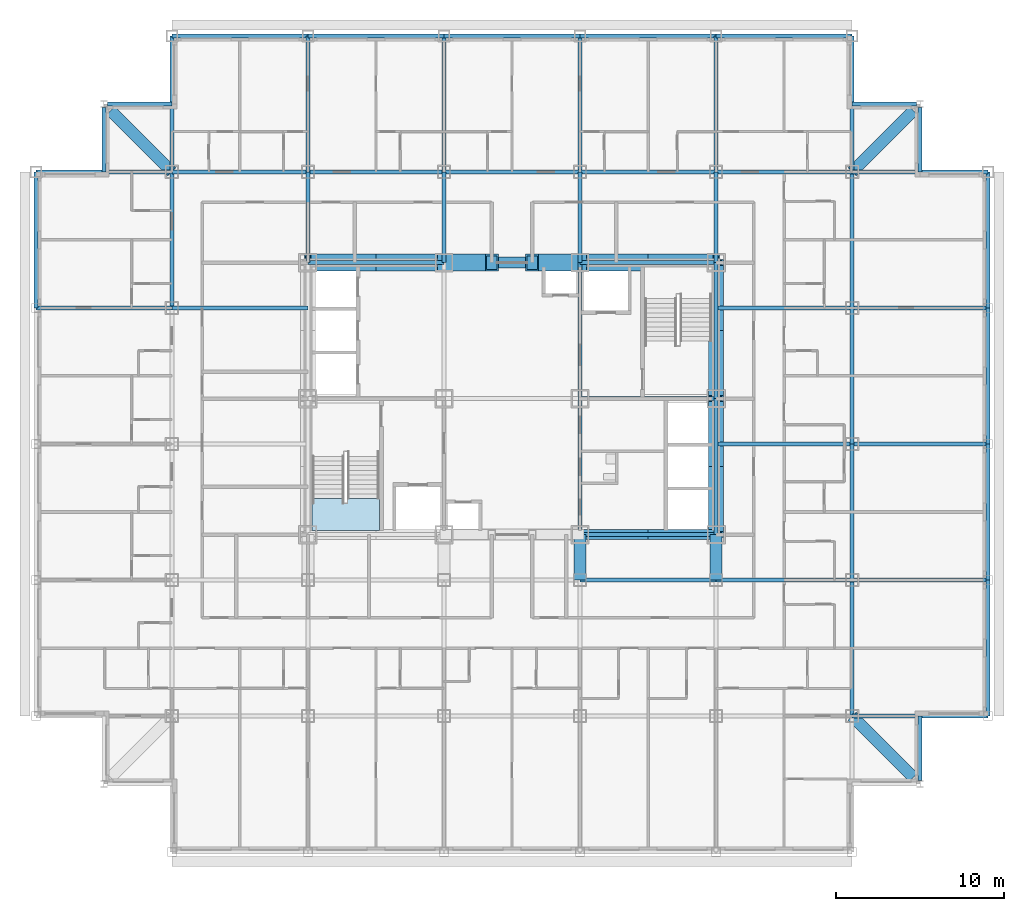
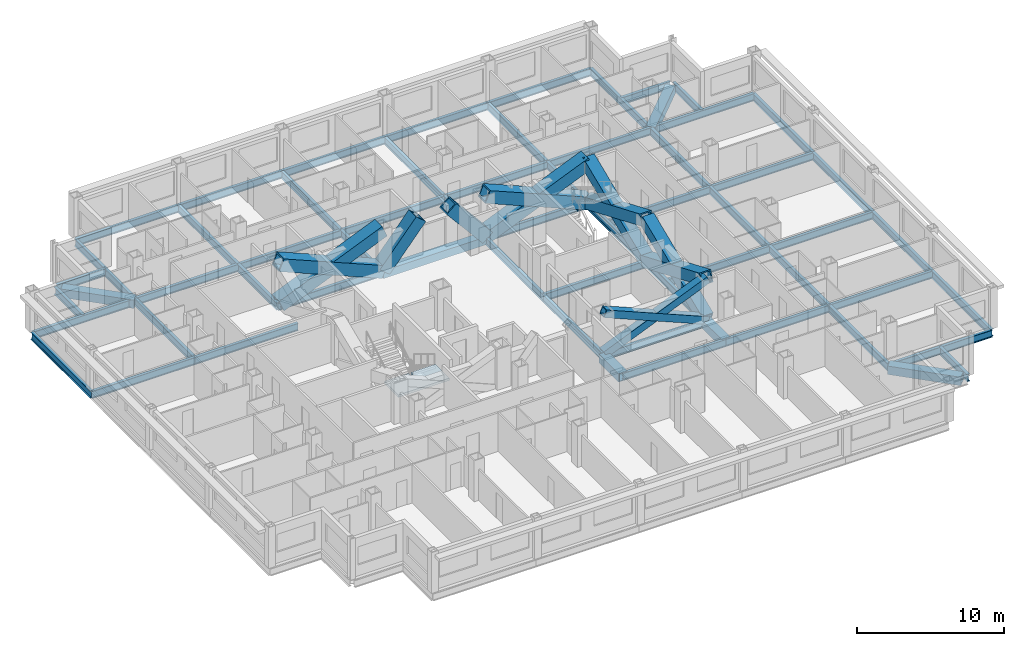
# One storey, part 2 of 14: 61 beams, 12 members, 1 slab, 1 element without a shape of its own.
"""IFC4 building model written with IfcOpenShell, lengths in metres."""

from ifc_helpers import new_model, si_unit, direction, frame, origin, origin_2d, place, context, subcontext, project, spatial, polyline, hollow_rectangle, i_section, outline, extrude, material, layer, layer_set, material_profile, profile_set, type_object, element, aggregate, save


model = new_model("IFC4")

# Units and contexts
model_context = context("Model", 3, precision=1e-05, world=origin(), true_north=direction((0.0, 1.0)))
body_context = subcontext(model_context, "Body", "Model", "MODEL_VIEW")
ifc_project = project(units=[si_unit("LENGTHUNIT", "METRE"), si_unit("AREAUNIT", "SQUARE_METRE"), si_unit("VOLUMEUNIT", "CUBIC_METRE"), si_unit("PLANEANGLEUNIT", "RADIAN"), si_unit("MASSUNIT", "GRAM", prefix="KILO")], contexts=[model_context])

# Site, building, storey
site_placement = place(None, origin())
site = spatial("IfcSite", under=ifc_project, at=site_placement, CompositionType="ELEMENT")
building_placement = place(site_placement, origin())
building = spatial("IfcBuilding", under=site, at=building_placement, Name="Kopane Lantern Tower", CompositionType="ELEMENT")
storey_placement = place(building_placement, frame((0.0, 0.0, 137.39990234375)))
storey = spatial("IfcBuildingStorey", under=building, at=storey_placement, Name="L35", CompositionType="ELEMENT", Elevation=137.39990234375)

# Members
ifc_material_1 = material(Name="Steel S355JR", Category="steel")
ifc_material_profile_1 = material_profile(ifc_material_1, hollow_rectangle(XDim=1.0, YDim=1.0, WallThickness=0.10009765625, at=origin_2d()), Name="BOX 1000x1000x100")
ifc_profile_set_1 = profile_set([ifc_material_profile_1], Name="Steel S355JR")
member_type_1 = type_object("IfcMemberType", Name="BRACE BOX 1000x1000x100", PredefinedType="BRACE", material=ifc_profile_set_1)
for number, where, z_axis, x_axis, name in (
    (1, (16.199951171875, 40.5, -0.2099609375), (0.92205908274, 0.0, 0.387049154419), (0.0, 1.0, 0.0), "Core brace L35"),
    (2, (24.300048828125, 40.5, -0.2099609375), (-0.92205908274, 0.0, 0.387049154419), (0.0, -1.0, 0.0), "Core brace L35"),
):
    element("IfcMember", number, at=place(storey_placement, frame(where, z_axis=z_axis, x_axis=x_axis)), inside=storey, type_object=member_type_1, Name=name, PredefinedType="BRACE", context=body_context, shape_type="SweptSolid", body=[
        extrude(hollow_rectangle(XDim=1.0, YDim=1.0, WallThickness=0.10009765625, at=origin_2d()), origin(), (0.0, 0.0, 1.0), 8.784912109375),
    ])
for number, where, z_axis, x_axis, name in (
    (3, (24.300048828125, 40.5, -0.2099609375), (0.642363165114, 0.0, 0.766400394118), (0.0, 1.0, 0.0), "Core brace L35"),
    (4, (32.39990234375, 40.5, -0.2099609375), (-0.642363165114, 0.0, 0.766400394118), (0.0, -1.0, 0.0), "Core brace L35"),
):
    element("IfcMember", number, at=place(storey_placement, frame(where, z_axis=z_axis, x_axis=x_axis)), inside=storey, type_object=member_type_1, Name=name, PredefinedType="BRACE", context=body_context, shape_type="SweptSolid", body=[
        extrude(hollow_rectangle(XDim=1.0, YDim=1.0, WallThickness=0.10009765625, at=origin_2d()), origin(), (0.0, 0.0, 1.0), 4.4365234375),
    ])
for number, where, z_axis, x_axis, name in (
    (5, (32.39990234375, 40.5, -0.2099609375), (0.92205908274, 0.0, 0.387049154419), (0.0, 1.0, 0.0), "Core brace L35"),
    (6, (40.5, 40.5, -0.2099609375), (-0.92205908274, 0.0, 0.387049154419), (0.0, -1.0, 0.0), "Core brace L35"),
):
    element("IfcMember", number, at=place(storey_placement, frame(where, z_axis=z_axis, x_axis=x_axis)), inside=storey, type_object=member_type_1, Name=name, PredefinedType="BRACE", context=body_context, shape_type="SweptSolid", body=[
        extrude(hollow_rectangle(XDim=1.0, YDim=1.0, WallThickness=0.10009765625, at=origin_2d()), origin(), (0.0, 0.0, 1.0), 8.784912109375),
    ])
ifc_material_2 = material(Name="Steel S355JR", Category="steel")
ifc_material_profile_2 = material_profile(ifc_material_2, hollow_rectangle(XDim=0.60009765625, YDim=0.60009765625, WallThickness=0.050048828125, at=origin_2d()), Name="BOX 600x600x50")
ifc_profile_set_2 = profile_set([ifc_material_profile_2], Name="Steel S355JR")
member_type_2 = type_object("IfcMemberType", Name="BRACE BOX 600x600x50", PredefinedType="BRACE", material=ifc_profile_set_2)
for number, where, z_axis, x_axis, name in (
    (7, (32.39990234375, 24.300048828125, -0.2099609375), (0.92205908274, 0.0, 0.387049154419), (0.0, 1.0, 0.0), "Core brace L35"),
    (8, (40.5, 24.300048828125, -0.2099609375), (-0.92205908274, 0.0, 0.387049154419), (0.0, -1.0, 0.0), "Core brace L35"),
):
    element("IfcMember", number, at=place(storey_placement, frame(where, z_axis=z_axis, x_axis=x_axis)), inside=storey, type_object=member_type_2, Name=name, PredefinedType="BRACE", context=body_context, shape_type="SweptSolid", body=[
        extrude(hollow_rectangle(XDim=0.60009765625, YDim=0.60009765625, WallThickness=0.050048828125, at=origin_2d()), origin(), (0.0, 0.0, 1.0), 8.784912109375),
    ])
ifc_material_3 = material(Name="Steel S355JR", Category="steel")
ifc_material_profile_3 = material_profile(ifc_material_3, hollow_rectangle(XDim=0.89990234375, YDim=0.89990234375, WallThickness=0.090087890625, at=origin_2d()), Name="BOX 900x900x90")
ifc_profile_set_3 = profile_set([ifc_material_profile_3], Name="Steel S355JR")
member_type_3 = type_object("IfcMemberType", Name="BRACE BOX 900x900x90", PredefinedType="BRACE", material=ifc_profile_set_3)
for number, where, z_axis, x_axis, name in (
    (9, (40.5, 24.300048828125, -0.2099609375), (0.0, 0.92205491925, 0.387059072864), (-1.0, 0.0, 0.0), "Core brace L35"),
    (10, (40.5, 32.39990234375, -0.2099609375), (0.0, -0.92205491925, 0.387059072864), (1.0, 0.0, 0.0), "Core brace L35"),
):
    element("IfcMember", number, at=place(storey_placement, frame(where, z_axis=z_axis, x_axis=x_axis)), inside=storey, type_object=member_type_3, Name=name, PredefinedType="BRACE", context=body_context, shape_type="SweptSolid", body=[
        extrude(hollow_rectangle(XDim=0.89990234375, YDim=0.89990234375, WallThickness=0.090087890625, at=origin_2d()), origin(), (0.0, 0.0, 1.0), 8.78466796875),
    ])
for number, where, z_axis, x_axis, name in (
    (11, (40.5, 32.39990234375, -0.2099609375), (0.0, 0.92205908274, 0.387049154419), (-1.0, 0.0, 0.0), "Core brace L35"),
    (12, (40.5, 40.5, -0.2099609375), (0.0, -0.92205908274, 0.387049154419), (1.0, 0.0, 0.0), "Core brace L35"),
):
    element("IfcMember", number, at=place(storey_placement, frame(where, z_axis=z_axis, x_axis=x_axis)), inside=storey, type_object=member_type_3, Name=name, PredefinedType="BRACE", context=body_context, shape_type="SweptSolid", body=[
        extrude(hollow_rectangle(XDim=0.89990234375, YDim=0.89990234375, WallThickness=0.090087890625, at=origin_2d()), origin(), (0.0, 0.0, 1.0), 8.784912109375),
    ])

# Beams
ifc_material_4 = material(Name="Steel S355JR", Category="steel")
ifc_material_profile_4 = material_profile(ifc_material_4, i_section(OverallWidth=0.22900390625, OverallDepth=0.6123046875, WebThickness=0.011962890625, FlangeThickness=0.01953125, FilletRadius=0.0126953125, at=origin_2d()), Name="UB 610x229x125")
ifc_profile_set_4 = profile_set([ifc_material_profile_4], Name="Steel S355JR")
beam_type_1 = type_object("IfcBeamType", Name="CORE BEAM UB 610x229x125", PredefinedType="BEAM", material=ifc_profile_set_4)
beam_1_placement = place(storey_placement, frame((32.39990234375, 24.300048828125, -0.51611328125), z_axis=(0.0, 1.0, 0.0), x_axis=(-1.0, 0.0, 0.0)))
element("IfcBeam", 13, at=beam_1_placement, inside=storey, type_object=beam_type_1, Name="Core Beam L35", PredefinedType="BEAM", context=body_context, shape_type="SweptSolid", body=[
    extrude(i_section(OverallWidth=0.22900390625, OverallDepth=0.6123046875, WebThickness=0.011962890625, FlangeThickness=0.01953125, FilletRadius=0.0126953125, at=origin_2d()), origin(), (0.0, 0.0, 1.0), 8.099853515625),
])
for number, where, z_axis, x_axis, name in (
    (14, (32.39990234375, 32.39990234375, -0.51611328125), (0.0, 1.0, 0.0), (-1.0, 0.0, 0.0), "Core Beam L35"),
    (15, (32.39990234375, 32.39990234375, -0.51611328125), (1.0, 0.0, 0.0), (0.0, 1.0, 0.0), "Core Beam L35"),
):
    element("IfcBeam", number, at=place(storey_placement, frame(where, z_axis=z_axis, x_axis=x_axis)), inside=storey, type_object=beam_type_1, Name=name, PredefinedType="BEAM", context=body_context, shape_type="SweptSolid", body=[
        extrude(i_section(OverallWidth=0.22900390625, OverallDepth=0.6123046875, WebThickness=0.011962890625, FlangeThickness=0.01953125, FilletRadius=0.0126953125, at=origin_2d()), origin(), (0.0, 0.0, 1.0), 8.10009765625),
    ])
ifc_material_5 = material(Name="Steel S355JR", Category="steel")
ifc_material_profile_5 = material_profile(ifc_material_5, hollow_rectangle(XDim=0.699951171875, YDim=0.699951171875, WallThickness=0.06005859375, at=origin_2d()), Name="BOX 700x700x60")
ifc_profile_set_5 = profile_set([ifc_material_profile_5], Name="Steel S355JR")
beam_type_2 = type_object("IfcBeamType", Name="CORNER TIE BEAM BOX 700x700x60", PredefinedType="BEAM", material=ifc_profile_set_5)
beam_2_placement = place(storey_placement, frame((4.447509765625, 49.552490234375, -0.559814453125), z_axis=(0.707106781187, -0.707106781187, 0.0), x_axis=(0.707106781187, 0.707106781187, 0.0)))
element("IfcBeam", 16, at=beam_2_placement, inside=storey, type_object=beam_type_2, Name="Corner Tie Beam L35", PredefinedType="BEAM", context=body_context, shape_type="SweptSolid", body=[
    extrude(hollow_rectangle(XDim=0.699951171875, YDim=0.699951171875, WallThickness=0.06005859375, at=origin_2d()), origin(), (0.0, 0.0, 1.0), 5.16552734375),
])
for number, where, z_axis, x_axis, name in (
    (17, (52.25244140625, 9.847412109375, -0.559814453125), (-0.707083148333, 0.70713041325, 0.0), (-0.70713041325, -0.707083148333, 0.0), "Corner Tie Beam L35"),
    (18, (52.25244140625, 49.552490234375, -0.559814453125), (-0.707083148333, -0.70713041325, 0.0), (0.70713041325, -0.707083148333, 0.0), "Corner Tie Beam L35"),
):
    element("IfcBeam", number, at=place(storey_placement, frame(where, z_axis=z_axis, x_axis=x_axis)), inside=storey, type_object=beam_type_2, Name=name, PredefinedType="BEAM", context=body_context, shape_type="SweptSolid", body=[
        extrude(hollow_rectangle(XDim=0.699951171875, YDim=0.699951171875, WallThickness=0.06005859375, at=origin_2d()), origin(), (0.0, 0.0, 1.0), 5.165283203125),
    ])
ifc_material_6 = material(Name="Steel S355JR", Category="steel")
ifc_material_profile_6 = material_profile(ifc_material_6, i_section(OverallWidth=0.22900390625, OverallDepth=0.6123046875, WebThickness=0.011962890625, FlangeThickness=0.01953125, FilletRadius=0.0126953125, at=origin_2d()), Name="UB 610x229x125")
ifc_profile_set_6 = profile_set([ifc_material_profile_6], Name="Steel S355JR")
beam_type_3 = type_object("IfcBeamType", Name="EDGE BEAM UB 610x229x125", PredefinedType="BEAM", material=ifc_profile_set_6)
for number, where, z_axis, x_axis, name in (
    (19, (4.050048828125, 49.74658203125, -0.51611328125), (0.0, -1.0, 0.0), (1.0, 0.0, 0.0), "Edge Beam L35"),
    (20, (4.25341796875, 49.949951171875, -0.51611328125), (1.0, 0.0, 0.0), (0.0, 1.0, 0.0), "Edge Beam L35"),
):
    element("IfcBeam", number, at=place(storey_placement, frame(where, z_axis=z_axis, x_axis=x_axis)), inside=storey, type_object=beam_type_3, Name=name, PredefinedType="BEAM", context=body_context, shape_type="SweptSolid", body=[
        extrude(i_section(OverallWidth=0.22900390625, OverallDepth=0.6123046875, WebThickness=0.011962890625, FlangeThickness=0.01953125, FilletRadius=0.0126953125, at=origin_2d()), origin(), (0.0, 0.0, 1.0), 3.8466796875),
    ])
for number, where, z_axis, x_axis, name in (
    (21, (52.446533203125, 49.949951171875, -0.51611328125), (-1.0, 0.0, 0.0), (0.0, -1.0, 0.0), "Edge Beam L35"),
    (22, (52.64990234375, 9.653564453125, -0.51611328125), (0.0, 1.0, 0.0), (-1.0, 0.0, 0.0), "Edge Beam L35"),
):
    element("IfcBeam", number, at=place(storey_placement, frame(where, z_axis=z_axis, x_axis=x_axis)), inside=storey, type_object=beam_type_3, Name=name, PredefinedType="BEAM", context=body_context, shape_type="SweptSolid", body=[
        extrude(i_section(OverallWidth=0.22900390625, OverallDepth=0.6123046875, WebThickness=0.011962890625, FlangeThickness=0.01953125, FilletRadius=0.0126953125, at=origin_2d()), origin(), (0.0, 0.0, 1.0), 3.846435546875),
    ])
beam_3_placement = place(storey_placement, frame((52.64990234375, 49.74658203125, -0.51611328125), z_axis=(0.0, -1.0, 0.0), x_axis=(1.0, 0.0, 0.0)))
element("IfcBeam", 23, at=beam_3_placement, inside=storey, type_object=beam_type_3, Name="Edge Beam L35", PredefinedType="BEAM", context=body_context, shape_type="SweptSolid", body=[
    extrude(i_section(OverallWidth=0.22900390625, OverallDepth=0.6123046875, WebThickness=0.011962890625, FlangeThickness=0.01953125, FilletRadius=0.0126953125, at=origin_2d()), origin(), (0.0, 0.0, 1.0), 3.8466796875),
])
ifc_material_7 = material(Name="Steel S355JR", Category="steel")
ifc_material_profile_7 = material_profile(ifc_material_7, hollow_rectangle(XDim=0.699951171875, YDim=0.699951171875, WallThickness=0.06005859375, at=origin_2d()), Name="BOX 700x700x60")
ifc_profile_set_7 = profile_set([ifc_material_profile_7], Name="Steel S355JR")
beam_type_4 = type_object("IfcBeamType", Name="GIRDER BOX 700x700x60", PredefinedType="BEAM", material=ifc_profile_set_7)
for number, where, z_axis, x_axis, name in (
    (24, (32.39990234375, 21.60009765625, -0.559814453125), (0.0, 1.0, 0.0), (-1.0, 0.0, 0.0), "Girder L35"),
    (25, (40.5, 21.60009765625, -0.559814453125), (0.0, 1.0, 0.0), (-1.0, 0.0, 0.0), "Girder L35"),
):
    element("IfcBeam", number, at=place(storey_placement, frame(where, z_axis=z_axis, x_axis=x_axis)), inside=storey, type_object=beam_type_4, Name=name, PredefinedType="BEAM", context=body_context, shape_type="SweptSolid", body=[
        extrude(hollow_rectangle(XDim=0.699951171875, YDim=0.699951171875, WallThickness=0.06005859375, at=origin_2d()), origin(), (0.0, 0.0, 1.0), 2.699951171875),
    ])
ifc_material_8 = material(Name="Steel S355JR", Category="steel")
ifc_material_profile_8 = material_profile(ifc_material_8, i_section(OverallWidth=0.22900390625, OverallDepth=0.6123046875, WebThickness=0.011962890625, FlangeThickness=0.01953125, FilletRadius=0.0126953125, at=origin_2d()), Name="UB 610x229x125")
ifc_profile_set_8 = profile_set([ifc_material_profile_8], Name="Steel S355JR")
beam_type_5 = type_object("IfcBeamType", Name="GIRDER UB 610x229x125", PredefinedType="BEAM", material=ifc_profile_set_8)
beam_4_placement = place(storey_placement, frame((0.0, 37.800048828125, -0.51611328125), z_axis=(0.0, 1.0, 0.0), x_axis=(-1.0, 0.0, 0.0)))
element("IfcBeam", 26, at=beam_4_placement, inside=storey, type_object=beam_type_5, Name="Girder L35", PredefinedType="BEAM", context=body_context, shape_type="SweptSolid", body=[
    extrude(i_section(OverallWidth=0.22900390625, OverallDepth=0.6123046875, WebThickness=0.011962890625, FlangeThickness=0.01953125, FilletRadius=0.0126953125, at=origin_2d()), origin(), (0.0, 0.0, 1.0), 8.099853515625),
])
for number, where, z_axis, x_axis, name in (
    (27, (0.0, 37.800048828125, -0.51611328125), (1.0, 0.0, 0.0), (0.0, 1.0, 0.0), "Girder L35"),
    (28, (0.0, 45.89990234375, -0.51611328125), (1.0, 0.0, 0.0), (0.0, 1.0, 0.0), "Girder L35"),
):
    element("IfcBeam", number, at=place(storey_placement, frame(where, z_axis=z_axis, x_axis=x_axis)), inside=storey, type_object=beam_type_5, Name=name, PredefinedType="BEAM", context=body_context, shape_type="SweptSolid", body=[
        extrude(i_section(OverallWidth=0.22900390625, OverallDepth=0.6123046875, WebThickness=0.011962890625, FlangeThickness=0.01953125, FilletRadius=0.0126953125, at=origin_2d()), origin(), (0.0, 0.0, 1.0), 8.10009765625),
    ])
for number, where, z_axis, x_axis, name in (
    (29, (8.10009765625, 37.800048828125, -0.51611328125), (0.0, 1.0, 0.0), (-1.0, 0.0, 0.0), "Girder L35"),
    (30, (8.10009765625, 37.800048828125, -0.51611328125), (1.0, 0.0, 0.0), (0.0, 1.0, 0.0), "Girder L35"),
):
    element("IfcBeam", number, at=place(storey_placement, frame(where, z_axis=z_axis, x_axis=x_axis)), inside=storey, type_object=beam_type_5, Name=name, PredefinedType="BEAM", context=body_context, shape_type="SweptSolid", body=[
        extrude(i_section(OverallWidth=0.22900390625, OverallDepth=0.6123046875, WebThickness=0.011962890625, FlangeThickness=0.01953125, FilletRadius=0.0126953125, at=origin_2d()), origin(), (0.0, 0.0, 1.0), 8.099853515625),
    ])
beam_5_placement = place(storey_placement, frame((8.10009765625, 45.89990234375, -0.51611328125), z_axis=(0.0, 1.0, 0.0), x_axis=(-1.0, 0.0, 0.0)))
element("IfcBeam", 31, at=beam_5_placement, inside=storey, type_object=beam_type_5, Name="Girder L35", PredefinedType="BEAM", context=body_context, shape_type="SweptSolid", body=[
    extrude(i_section(OverallWidth=0.22900390625, OverallDepth=0.6123046875, WebThickness=0.011962890625, FlangeThickness=0.01953125, FilletRadius=0.0126953125, at=origin_2d()), origin(), (0.0, 0.0, 1.0), 8.10009765625),
])
for number, where, z_axis, x_axis, name in (
    (32, (8.10009765625, 45.89990234375, -0.51611328125), (1.0, 0.0, 0.0), (0.0, 1.0, 0.0), "Girder L35"),
    (33, (8.10009765625, 54.0, -0.51611328125), (1.0, 0.0, 0.0), (0.0, 1.0, 0.0), "Girder L35"),
):
    element("IfcBeam", number, at=place(storey_placement, frame(where, z_axis=z_axis, x_axis=x_axis)), inside=storey, type_object=beam_type_5, Name=name, PredefinedType="BEAM", context=body_context, shape_type="SweptSolid", body=[
        extrude(i_section(OverallWidth=0.22900390625, OverallDepth=0.6123046875, WebThickness=0.011962890625, FlangeThickness=0.01953125, FilletRadius=0.0126953125, at=origin_2d()), origin(), (0.0, 0.0, 1.0), 8.099853515625),
    ])
beam_6_placement = place(storey_placement, frame((16.199951171875, 40.5, -0.51611328125), z_axis=(0.0, 1.0, 0.0), x_axis=(-1.0, 0.0, 0.0)))
element("IfcBeam", 34, at=beam_6_placement, inside=storey, type_object=beam_type_5, Name="Girder L35", PredefinedType="BEAM", context=body_context, shape_type="SweptSolid", body=[
    extrude(i_section(OverallWidth=0.22900390625, OverallDepth=0.6123046875, WebThickness=0.011962890625, FlangeThickness=0.01953125, FilletRadius=0.0126953125, at=origin_2d()), origin(), (0.0, 0.0, 1.0), 5.39990234375),
])
for number, where, z_axis, x_axis, name in (
    (35, (16.199951171875, 40.5, -0.51611328125), (1.0, 0.0, 0.0), (0.0, 1.0, 0.0), "Girder L35"),
    (36, (16.199951171875, 45.89990234375, -0.51611328125), (0.0, 1.0, 0.0), (-1.0, 0.0, 0.0), "Girder L35"),
    (37, (16.199951171875, 45.89990234375, -0.51611328125), (1.0, 0.0, 0.0), (0.0, 1.0, 0.0), "Girder L35"),
    (38, (16.199951171875, 54.0, -0.51611328125), (1.0, 0.0, 0.0), (0.0, 1.0, 0.0), "Girder L35"),
):
    element("IfcBeam", number, at=place(storey_placement, frame(where, z_axis=z_axis, x_axis=x_axis)), inside=storey, type_object=beam_type_5, Name=name, PredefinedType="BEAM", context=body_context, shape_type="SweptSolid", body=[
        extrude(i_section(OverallWidth=0.22900390625, OverallDepth=0.6123046875, WebThickness=0.011962890625, FlangeThickness=0.01953125, FilletRadius=0.0126953125, at=origin_2d()), origin(), (0.0, 0.0, 1.0), 8.10009765625),
    ])
beam_7_placement = place(storey_placement, frame((24.300048828125, 40.5, -0.51611328125), z_axis=(0.0, 1.0, 0.0), x_axis=(-1.0, 0.0, 0.0)))
element("IfcBeam", 39, at=beam_7_placement, inside=storey, type_object=beam_type_5, Name="Girder L35", PredefinedType="BEAM", context=body_context, shape_type="SweptSolid", body=[
    extrude(i_section(OverallWidth=0.22900390625, OverallDepth=0.6123046875, WebThickness=0.011962890625, FlangeThickness=0.01953125, FilletRadius=0.0126953125, at=origin_2d()), origin(), (0.0, 0.0, 1.0), 5.39990234375),
])
beam_8_placement = place(storey_placement, frame((24.300048828125, 45.89990234375, -0.51611328125), z_axis=(0.0, 1.0, 0.0), x_axis=(-1.0, 0.0, 0.0)))
element("IfcBeam", 40, at=beam_8_placement, inside=storey, type_object=beam_type_5, Name="Girder L35", PredefinedType="BEAM", context=body_context, shape_type="SweptSolid", body=[
    extrude(i_section(OverallWidth=0.22900390625, OverallDepth=0.6123046875, WebThickness=0.011962890625, FlangeThickness=0.01953125, FilletRadius=0.0126953125, at=origin_2d()), origin(), (0.0, 0.0, 1.0), 8.10009765625),
])
for number, where, z_axis, x_axis, name in (
    (41, (24.300048828125, 45.89990234375, -0.51611328125), (1.0, 0.0, 0.0), (0.0, 1.0, 0.0), "Girder L35"),
    (42, (24.300048828125, 54.0, -0.51611328125), (1.0, 0.0, 0.0), (0.0, 1.0, 0.0), "Girder L35"),
):
    element("IfcBeam", number, at=place(storey_placement, frame(where, z_axis=z_axis, x_axis=x_axis)), inside=storey, type_object=beam_type_5, Name=name, PredefinedType="BEAM", context=body_context, shape_type="SweptSolid", body=[
        extrude(i_section(OverallWidth=0.22900390625, OverallDepth=0.6123046875, WebThickness=0.011962890625, FlangeThickness=0.01953125, FilletRadius=0.0126953125, at=origin_2d()), origin(), (0.0, 0.0, 1.0), 8.099853515625),
    ])
for number, where, z_axis, x_axis, name in (
    (43, (32.39990234375, 21.60009765625, -0.51611328125), (1.0, 0.0, 0.0), (0.0, 1.0, 0.0), "Girder L35"),
    (44, (32.39990234375, 24.300048828125, -0.51611328125), (1.0, 0.0, 0.0), (0.0, 1.0, 0.0), "Girder L35"),
):
    element("IfcBeam", number, at=place(storey_placement, frame(where, z_axis=z_axis, x_axis=x_axis)), inside=storey, type_object=beam_type_5, Name=name, PredefinedType="BEAM", context=body_context, shape_type="SweptSolid", body=[
        extrude(i_section(OverallWidth=0.22900390625, OverallDepth=0.6123046875, WebThickness=0.011962890625, FlangeThickness=0.01953125, FilletRadius=0.0126953125, at=origin_2d()), origin(), (0.0, 0.0, 1.0), 8.10009765625),
    ])
beam_9_placement = place(storey_placement, frame((32.39990234375, 40.5, -0.51611328125), z_axis=(0.0, 1.0, 0.0), x_axis=(-1.0, 0.0, 0.0)))
element("IfcBeam", 45, at=beam_9_placement, inside=storey, type_object=beam_type_5, Name="Girder L35", PredefinedType="BEAM", context=body_context, shape_type="SweptSolid", body=[
    extrude(i_section(OverallWidth=0.22900390625, OverallDepth=0.6123046875, WebThickness=0.011962890625, FlangeThickness=0.01953125, FilletRadius=0.0126953125, at=origin_2d()), origin(), (0.0, 0.0, 1.0), 5.39990234375),
])
for number, where, z_axis, x_axis, name in (
    (46, (32.39990234375, 40.5, -0.51611328125), (1.0, 0.0, 0.0), (0.0, 1.0, 0.0), "Girder L35"),
    (47, (32.39990234375, 45.89990234375, -0.51611328125), (0.0, 1.0, 0.0), (-1.0, 0.0, 0.0), "Girder L35"),
    (48, (32.39990234375, 45.89990234375, -0.51611328125), (1.0, 0.0, 0.0), (0.0, 1.0, 0.0), "Girder L35"),
    (49, (32.39990234375, 54.0, -0.51611328125), (1.0, 0.0, 0.0), (0.0, 1.0, 0.0), "Girder L35"),
    (50, (40.5, 21.60009765625, -0.51611328125), (1.0, 0.0, 0.0), (0.0, 1.0, 0.0), "Girder L35"),
):
    element("IfcBeam", number, at=place(storey_placement, frame(where, z_axis=z_axis, x_axis=x_axis)), inside=storey, type_object=beam_type_5, Name=name, PredefinedType="BEAM", context=body_context, shape_type="SweptSolid", body=[
        extrude(i_section(OverallWidth=0.22900390625, OverallDepth=0.6123046875, WebThickness=0.011962890625, FlangeThickness=0.01953125, FilletRadius=0.0126953125, at=origin_2d()), origin(), (0.0, 0.0, 1.0), 8.10009765625),
    ])
beam_10_placement = place(storey_placement, frame((40.5, 24.300048828125, -0.51611328125), z_axis=(0.0, 1.0, 0.0), x_axis=(-1.0, 0.0, 0.0)))
element("IfcBeam", 51, at=beam_10_placement, inside=storey, type_object=beam_type_5, Name="Girder L35", PredefinedType="BEAM", context=body_context, shape_type="SweptSolid", body=[
    extrude(i_section(OverallWidth=0.22900390625, OverallDepth=0.6123046875, WebThickness=0.011962890625, FlangeThickness=0.01953125, FilletRadius=0.0126953125, at=origin_2d()), origin(), (0.0, 0.0, 1.0), 8.099853515625),
])
for number, where, z_axis, x_axis, name in (
    (52, (40.5, 29.699951171875, -0.51611328125), (1.0, 0.0, 0.0), (0.0, 1.0, 0.0), "Girder L35"),
    (53, (40.5, 32.39990234375, -0.51611328125), (0.0, 1.0, 0.0), (-1.0, 0.0, 0.0), "Girder L35"),
    (54, (40.5, 37.800048828125, -0.51611328125), (1.0, 0.0, 0.0), (0.0, 1.0, 0.0), "Girder L35"),
):
    element("IfcBeam", number, at=place(storey_placement, frame(where, z_axis=z_axis, x_axis=x_axis)), inside=storey, type_object=beam_type_5, Name=name, PredefinedType="BEAM", context=body_context, shape_type="SweptSolid", body=[
        extrude(i_section(OverallWidth=0.22900390625, OverallDepth=0.6123046875, WebThickness=0.011962890625, FlangeThickness=0.01953125, FilletRadius=0.0126953125, at=origin_2d()), origin(), (0.0, 0.0, 1.0), 8.10009765625),
    ])
beam_11_placement = place(storey_placement, frame((40.5, 40.5, -0.51611328125), z_axis=(0.0, 1.0, 0.0), x_axis=(-1.0, 0.0, 0.0)))
element("IfcBeam", 55, at=beam_11_placement, inside=storey, type_object=beam_type_5, Name="Girder L35", PredefinedType="BEAM", context=body_context, shape_type="SweptSolid", body=[
    extrude(i_section(OverallWidth=0.22900390625, OverallDepth=0.6123046875, WebThickness=0.011962890625, FlangeThickness=0.01953125, FilletRadius=0.0126953125, at=origin_2d()), origin(), (0.0, 0.0, 1.0), 5.39990234375),
])
for number, where, z_axis, x_axis, name in (
    (56, (40.5, 45.89990234375, -0.51611328125), (0.0, 1.0, 0.0), (-1.0, 0.0, 0.0), "Girder L35"),
    (57, (40.5, 45.89990234375, -0.51611328125), (1.0, 0.0, 0.0), (0.0, 1.0, 0.0), "Girder L35"),
    (58, (40.5, 54.0, -0.51611328125), (1.0, 0.0, 0.0), (0.0, 1.0, 0.0), "Girder L35"),
    (59, (48.60009765625, 13.5, -0.51611328125), (0.0, 1.0, 0.0), (-1.0, 0.0, 0.0), "Girder L35"),
):
    element("IfcBeam", number, at=place(storey_placement, frame(where, z_axis=z_axis, x_axis=x_axis)), inside=storey, type_object=beam_type_5, Name=name, PredefinedType="BEAM", context=body_context, shape_type="SweptSolid", body=[
        extrude(i_section(OverallWidth=0.22900390625, OverallDepth=0.6123046875, WebThickness=0.011962890625, FlangeThickness=0.01953125, FilletRadius=0.0126953125, at=origin_2d()), origin(), (0.0, 0.0, 1.0), 8.10009765625),
    ])
for number, where, z_axis, x_axis, name in (
    (60, (48.60009765625, 13.5, -0.51611328125), (1.0, 0.0, 0.0), (0.0, 1.0, 0.0), "Girder L35"),
    (61, (48.60009765625, 21.60009765625, -0.51611328125), (0.0, 1.0, 0.0), (-1.0, 0.0, 0.0), "Girder L35"),
    (62, (48.60009765625, 21.60009765625, -0.51611328125), (1.0, 0.0, 0.0), (0.0, 1.0, 0.0), "Girder L35"),
):
    element("IfcBeam", number, at=place(storey_placement, frame(where, z_axis=z_axis, x_axis=x_axis)), inside=storey, type_object=beam_type_5, Name=name, PredefinedType="BEAM", context=body_context, shape_type="SweptSolid", body=[
        extrude(i_section(OverallWidth=0.22900390625, OverallDepth=0.6123046875, WebThickness=0.011962890625, FlangeThickness=0.01953125, FilletRadius=0.0126953125, at=origin_2d()), origin(), (0.0, 0.0, 1.0), 8.099853515625),
    ])
beam_12_placement = place(storey_placement, frame((48.60009765625, 29.699951171875, -0.51611328125), z_axis=(0.0, 1.0, 0.0), x_axis=(-1.0, 0.0, 0.0)))
element("IfcBeam", 63, at=beam_12_placement, inside=storey, type_object=beam_type_5, Name="Girder L35", PredefinedType="BEAM", context=body_context, shape_type="SweptSolid", body=[
    extrude(i_section(OverallWidth=0.22900390625, OverallDepth=0.6123046875, WebThickness=0.011962890625, FlangeThickness=0.01953125, FilletRadius=0.0126953125, at=origin_2d()), origin(), (0.0, 0.0, 1.0), 8.10009765625),
])
for number, where, z_axis, x_axis, name in (
    (64, (48.60009765625, 29.699951171875, -0.51611328125), (1.0, 0.0, 0.0), (0.0, 1.0, 0.0), "Girder L35"),
    (65, (48.60009765625, 37.800048828125, -0.51611328125), (0.0, 1.0, 0.0), (-1.0, 0.0, 0.0), "Girder L35"),
    (66, (48.60009765625, 37.800048828125, -0.51611328125), (1.0, 0.0, 0.0), (0.0, 1.0, 0.0), "Girder L35"),
):
    element("IfcBeam", number, at=place(storey_placement, frame(where, z_axis=z_axis, x_axis=x_axis)), inside=storey, type_object=beam_type_5, Name=name, PredefinedType="BEAM", context=body_context, shape_type="SweptSolid", body=[
        extrude(i_section(OverallWidth=0.22900390625, OverallDepth=0.6123046875, WebThickness=0.011962890625, FlangeThickness=0.01953125, FilletRadius=0.0126953125, at=origin_2d()), origin(), (0.0, 0.0, 1.0), 8.099853515625),
    ])
beam_13_placement = place(storey_placement, frame((48.60009765625, 45.89990234375, -0.51611328125), z_axis=(0.0, 1.0, 0.0), x_axis=(-1.0, 0.0, 0.0)))
element("IfcBeam", 67, at=beam_13_placement, inside=storey, type_object=beam_type_5, Name="Girder L35", PredefinedType="BEAM", context=body_context, shape_type="SweptSolid", body=[
    extrude(i_section(OverallWidth=0.22900390625, OverallDepth=0.6123046875, WebThickness=0.011962890625, FlangeThickness=0.01953125, FilletRadius=0.0126953125, at=origin_2d()), origin(), (0.0, 0.0, 1.0), 8.10009765625),
])
beam_14_placement = place(storey_placement, frame((48.60009765625, 45.89990234375, -0.51611328125), z_axis=(1.0, 0.0, 0.0), x_axis=(0.0, 1.0, 0.0)))
element("IfcBeam", 68, at=beam_14_placement, inside=storey, type_object=beam_type_5, Name="Girder L35", PredefinedType="BEAM", context=body_context, shape_type="SweptSolid", body=[
    extrude(i_section(OverallWidth=0.22900390625, OverallDepth=0.6123046875, WebThickness=0.011962890625, FlangeThickness=0.01953125, FilletRadius=0.0126953125, at=origin_2d()), origin(), (0.0, 0.0, 1.0), 8.099853515625),
])
beam_15_placement = place(storey_placement, frame((56.699951171875, 13.5, -0.51611328125), z_axis=(0.0, 1.0, 0.0), x_axis=(-1.0, 0.0, 0.0)))
element("IfcBeam", 69, at=beam_15_placement, inside=storey, type_object=beam_type_5, Name="Girder L35", PredefinedType="BEAM", context=body_context, shape_type="SweptSolid", body=[
    extrude(i_section(OverallWidth=0.22900390625, OverallDepth=0.6123046875, WebThickness=0.011962890625, FlangeThickness=0.01953125, FilletRadius=0.0126953125, at=origin_2d()), origin(), (0.0, 0.0, 1.0), 8.10009765625),
])
beam_16_placement = place(storey_placement, frame((56.699951171875, 21.60009765625, -0.51611328125), z_axis=(0.0, 1.0, 0.0), x_axis=(-1.0, 0.0, 0.0)))
element("IfcBeam", 70, at=beam_16_placement, inside=storey, type_object=beam_type_5, Name="Girder L35", PredefinedType="BEAM", context=body_context, shape_type="SweptSolid", body=[
    extrude(i_section(OverallWidth=0.22900390625, OverallDepth=0.6123046875, WebThickness=0.011962890625, FlangeThickness=0.01953125, FilletRadius=0.0126953125, at=origin_2d()), origin(), (0.0, 0.0, 1.0), 8.099853515625),
])
beam_17_placement = place(storey_placement, frame((56.699951171875, 29.699951171875, -0.51611328125), z_axis=(0.0, 1.0, 0.0), x_axis=(-1.0, 0.0, 0.0)))
element("IfcBeam", 71, at=beam_17_placement, inside=storey, type_object=beam_type_5, Name="Girder L35", PredefinedType="BEAM", context=body_context, shape_type="SweptSolid", body=[
    extrude(i_section(OverallWidth=0.22900390625, OverallDepth=0.6123046875, WebThickness=0.011962890625, FlangeThickness=0.01953125, FilletRadius=0.0126953125, at=origin_2d()), origin(), (0.0, 0.0, 1.0), 8.10009765625),
])
beam_18_placement = place(storey_placement, frame((56.699951171875, 37.800048828125, -0.51611328125), z_axis=(0.0, 1.0, 0.0), x_axis=(-1.0, 0.0, 0.0)))
element("IfcBeam", 72, at=beam_18_placement, inside=storey, type_object=beam_type_5, Name="Girder L35", PredefinedType="BEAM", context=body_context, shape_type="SweptSolid", body=[
    extrude(i_section(OverallWidth=0.22900390625, OverallDepth=0.6123046875, WebThickness=0.011962890625, FlangeThickness=0.01953125, FilletRadius=0.0126953125, at=origin_2d()), origin(), (0.0, 0.0, 1.0), 8.099853515625),
])
ifc_material_9 = material(Name="Steel S355JR", Category="steel")
ifc_material_profile_9 = material_profile(ifc_material_9, hollow_rectangle(XDim=0.64990234375, YDim=0.64990234375, WallThickness=0.070068359375, at=origin_2d()), Name="BOX 650x650x70")
ifc_profile_set_9 = profile_set([ifc_material_profile_9], Name="Steel S355JR")
beam_type_6 = type_object("IfcBeamType", Name="LINK BEAM BOX 650x650x70", PredefinedType="BEAM", material=ifc_profile_set_9)
beam_19_placement = place(storey_placement, frame((24.300048828125, 40.5, -0.534912109375), z_axis=(1.0, 0.0, 0.0), x_axis=(0.0, 1.0, 0.0)))
element("IfcBeam", 73, at=beam_19_placement, inside=storey, type_object=beam_type_6, Name="Link Beam L35", PredefinedType="BEAM", context=body_context, shape_type="SweptSolid", body=[
    extrude(hollow_rectangle(XDim=0.64990234375, YDim=0.64990234375, WallThickness=0.070068359375, at=origin_2d()), origin(), (0.0, 0.0, 1.0), 8.099853515625),
])

# Stair, slab
ifc_material_10 = material(Name="Steel S355JR", Category="steel")
stair_type = type_object("IfcStairType", Name="EXIT STAIR 1900 HALF TURN", PredefinedType="HALF_TURN_STAIR", material=ifc_material_10)
stair_placement = place(storey_placement, origin())
stair = element("IfcStair", 74, at=stair_placement, inside=storey, type_object=stair_type, Name="Exit stair ST1 L35", PredefinedType="HALF_TURN_STAIR")
ifc_material_11 = material(Name="Concrete C40/50", Category="concrete")
ifc_layer = layer(ifc_material_11, 0.199951171875)
ifc_layer_set = layer_set([ifc_layer], Name="STAIR LANDING 200")
slab_type = type_object("IfcSlabType", Name="STAIR LANDING 200", PredefinedType="LANDING", material=ifc_layer_set)
slab_placement = place(storey_placement, frame((0.0, 0.0, 1.5)))
slab = element("IfcSlab", 75, at=slab_placement, type_object=slab_type, Name="ST1 landing 2", PredefinedType="LANDING", context=body_context, shape_type="SweptSolid", body=[
    extrude(outline(polyline([(20.449951171875, 26.449951171875), (18.550048828125, 26.449951171875), (18.550048828125, 26.169921875), (18.35009765625, 26.169921875), (18.35009765625, 26.449951171875), (16.449951171875, 26.449951171875), (16.449951171875, 24.550048828125), (20.449951171875, 24.550048828125), (20.449951171875, 26.449951171875)])), origin(), (0.0, 0.0, 1.0), 0.2001953125),
])
aggregate(stair, [slab])

save(model, "model.ifc")
